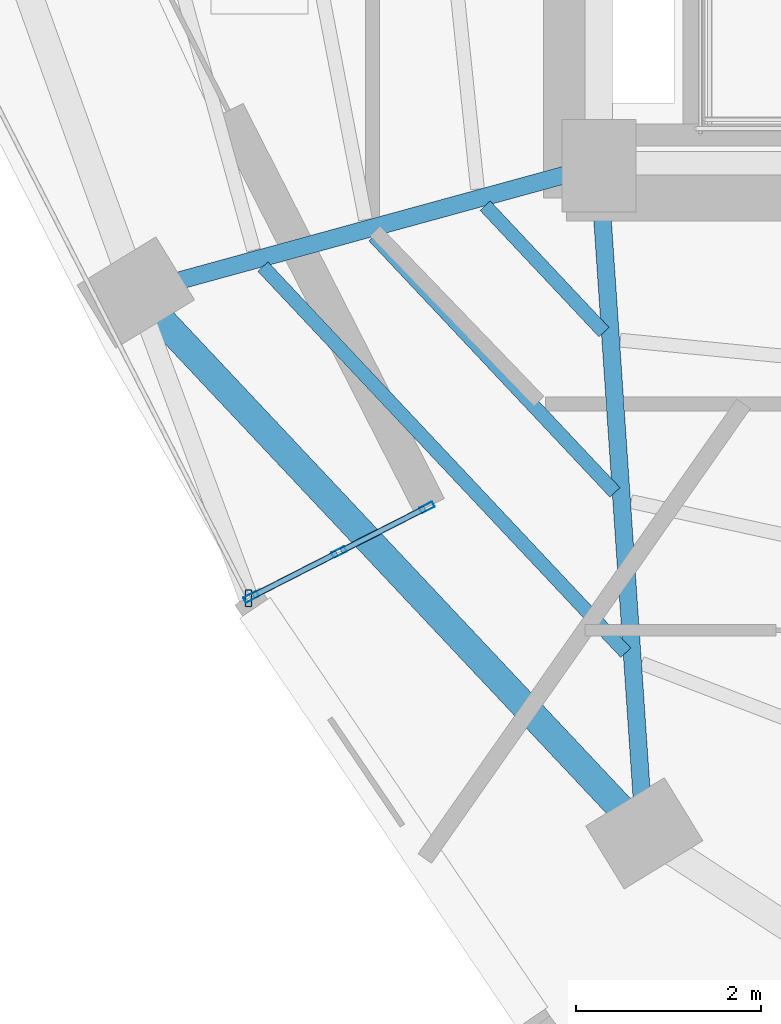
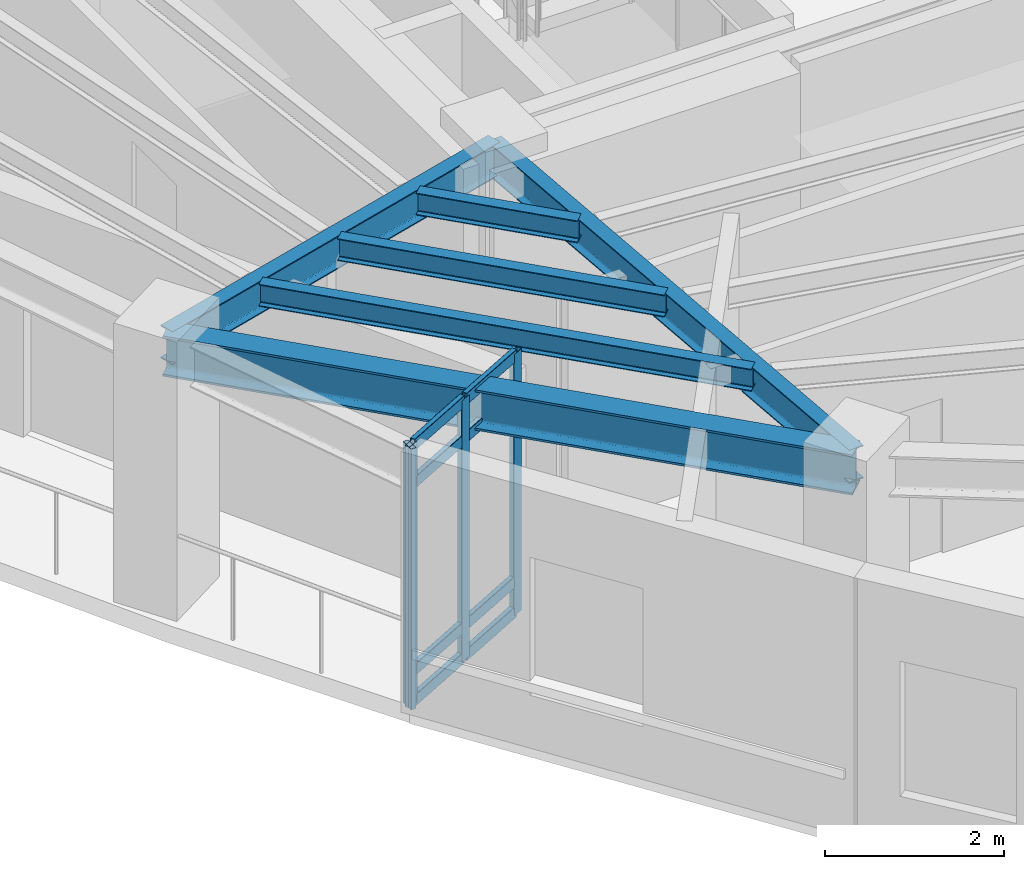
# One storey, part 2 of 12: 12 members, 6 beams, 1 element without a shape of its own.
"""IFC4 building model written with IfcOpenShell, lengths in metres."""

import ifcopenshell
import ifcopenshell.guid

model = None  # the IFC model being written
_history = None  # IfcOwnerHistory: only IFC2X3 demands one
_inside = {}  # id of a spatial element -> (the spatial element, [elements in it])
_under = {}  # id of a project, library or spatial element -> (it, [spatial elements below it])
_declared = {}  # id of a project -> (the project, [libraries it declares])
_typed = {}  # id of a type object -> (the type object, [elements of that type])
_made_of = {}  # id of a material, layer set ... -> (it, [elements and type objects made of it])


def new_model(schema):
    """Start an empty IFC model of exactly this schema.

    Asked for "IFC4X3", IfcOpenShell would pick the latest addendum, in which some entities
    have other attributes; the version numbers below select the first issue.
    IFC2X3 requires an IfcOwnerHistory on every rooted entity: one is made here for all.
    """
    global model, _history
    if schema == "IFC4X3":
        model = ifcopenshell.file(schema_version=(4, 3, 0, 0))
    else:
        model = ifcopenshell.file(schema=schema)
    _inside.clear()
    _under.clear()
    _declared.clear()
    _typed.clear()
    _made_of.clear()
    _history = None
    if model.schema == "IFC2X3":
        org = make("IfcOrganization", Name="unknown")
        user = make(
            "IfcPersonAndOrganization",
            ThePerson=make("IfcPerson", FamilyName="unknown"),
            TheOrganization=org,
        )
        app = make(
            "IfcApplication",
            ApplicationDeveloper=org,
            Version="unknown",
            ApplicationFullName="unknown",
            ApplicationIdentifier="unknown",
        )
        _history = make(
            "IfcOwnerHistory",
            OwningUser=user,
            OwningApplication=app,
            ChangeAction="ADDED",
            CreationDate=0,
        )
    return model


def make(cls, **values):
    """One entity of the class cls with the attributes given. An attribute that is None is left unset."""
    return model.create_entity(
        cls, **{name: value for name, value in values.items() if value is not None}
    )


def rooted(cls, **values):
    """An entity with a GlobalId (a new one), such as an element, a storey or a relation."""
    return make(cls, GlobalId=ifcopenshell.guid.new(), OwnerHistory=_history, **values)


def si_unit(unit_type, name, prefix=None):
    """IfcSIUnit, for example si_unit("LENGTHUNIT", "METRE", prefix="MILLI")."""
    return make("IfcSIUnit", UnitType=unit_type, Prefix=prefix, Name=name)


def assignment(units):
    """IfcUnitAssignment: the units of a project."""
    return None if units is None else make("IfcUnitAssignment", Units=units)


def point(xyz):
    """IfcCartesianPoint."""
    return None if xyz is None else make("IfcCartesianPoint", Coordinates=xyz)


def direction(xyz):
    """IfcDirection."""
    return None if xyz is None else make("IfcDirection", DirectionRatios=xyz)


def frame(location, z_axis=None, x_axis=None):
    """IfcAxis2Placement3D, a coordinate frame: its origin and axes. An axis left out is left unset."""
    return make(
        "IfcAxis2Placement3D",
        Location=point(location),
        Axis=direction(z_axis),
        RefDirection=direction(x_axis),
    )


def frame_2d(location, x_axis=None):
    """IfcAxis2Placement2D, a coordinate frame in the plane: its origin and x axis."""
    return make(
        "IfcAxis2Placement2D", Location=point(location), RefDirection=direction(x_axis)
    )


def origin():
    """The frame at (0, 0, 0) with its axes left unset."""
    return frame((0.0, 0.0, 0.0))


def origin_2d():
    """The frame at (0, 0) in the plane with its x axis left unset."""
    return frame_2d((0.0, 0.0))


def place(relative_to, where):
    """IfcLocalPlacement: puts the frame where relative to a parent placement (None: the world)."""
    return make(
        "IfcLocalPlacement", PlacementRelTo=relative_to, RelativePlacement=where
    )


def context(
    kind, dimensions, precision=None, world=None, true_north=None, identifier=None
):
    """IfcGeometricRepresentationContext, for example the 3D "Model" context."""
    return make(
        "IfcGeometricRepresentationContext",
        ContextIdentifier=identifier,
        ContextType=kind,
        CoordinateSpaceDimension=dimensions,
        Precision=precision,
        WorldCoordinateSystem=world,
        TrueNorth=true_north,
    )


def subcontext(parent, identifier, kind, view, scale=None):
    """IfcGeometricRepresentationSubContext, for example "Body" below "Model"."""
    return make(
        "IfcGeometricRepresentationSubContext",
        ContextIdentifier=identifier,
        ContextType=kind,
        ParentContext=parent,
        TargetScale=scale,
        TargetView=view,
    )


def project(units=None, contexts=None):
    """IfcProject with its units and contexts."""
    return rooted(
        "IfcProject",
        Name="project",
        RepresentationContexts=contexts,
        UnitsInContext=assignment(units),
    )


def spatial(cls, under=None, at=None, **own):
    """A site, building, storey or space (cls), placed at a placement, below another one or the project."""
    s = rooted(cls, ObjectPlacement=at, **own)
    if under is not None:
        _under.setdefault(under.id(), (under, []))[1].append(s)
    return s


def profile(cls, at=None, kind="AREA", **sizes):
    """A parametric profile (cls). Its sizes go by their IFC names, for example OverallWidth=200.0."""
    return make(cls, ProfileType=kind, Position=at, **sizes)


def hollow_rectangle(**sizes):
    """IfcRectangleHollowProfileDef."""
    return profile("IfcRectangleHollowProfileDef", **sizes)


def i_section(**sizes):
    """IfcIShapeProfileDef."""
    return profile("IfcIShapeProfileDef", **sizes)


def extrude(swept, where, along, depth):
    """IfcExtrudedAreaSolid: the profile swept, set in the frame where, extruded along a direction by depth."""
    return make(
        "IfcExtrudedAreaSolid",
        SweptArea=swept,
        Position=where,
        ExtrudedDirection=direction(along),
        Depth=depth,
    )


def shape(context_of_items, identifier, shape_type, items):
    """IfcShapeRepresentation: the items that make up one representation, for example the "Body"."""
    return make(
        "IfcShapeRepresentation",
        ContextOfItems=context_of_items,
        RepresentationIdentifier=identifier,
        RepresentationType=shape_type,
        Items=items,
    )


def material(Name=None, Category=None):
    """IfcMaterial."""
    return make("IfcMaterial", Name=Name, Category=Category)


def layer(
    of_material, thickness, ventilated=None, Name=None, Category=None, Priority=None
):
    """IfcMaterialLayer: one layer of a wall or slab, of a material (None: an air gap)."""
    return make(
        "IfcMaterialLayer",
        Material=of_material,
        LayerThickness=thickness,
        IsVentilated=ventilated,
        Name=Name,
        Category=Category,
        Priority=Priority,
    )


def layer_set(layers, Name=None):
    """IfcMaterialLayerSet."""
    return make("IfcMaterialLayerSet", MaterialLayers=layers, LayerSetName=Name)


def material_profile(
    of_material, cross_section, Name=None, Category=None, Priority=None
):
    """IfcMaterialProfile: a cross section and its material."""
    return make(
        "IfcMaterialProfile",
        Name=Name,
        Material=of_material,
        Profile=cross_section,
        Priority=Priority,
        Category=Category,
    )


def profile_set(profiles, Name=None, composite=None):
    """IfcMaterialProfileSet."""
    return make(
        "IfcMaterialProfileSet",
        Name=Name,
        MaterialProfiles=profiles,
        CompositeProfile=composite,
    )


def made_of(thing, what):
    """Note that an element or type object is made of a material, layer set ...; save() writes the relation."""
    if what is not None:
        _made_of.setdefault(what.id(), (what, []))[1].append(thing)
    return thing


def type_object(cls, material=None, **own):
    """A type object (cls), such as IfcWallType, which elements share."""
    return made_of(rooted(cls, **own), material)


def element(
    cls,
    number,
    at=None,
    inside=None,
    cuts=None,
    type_object=None,
    material=None,
    context=None,
    identifier="Body",
    shape_type=None,
    held_by="IfcProductDefinitionShape",
    body=None,
    shapes=None,
    **own,
):
    """One element of the class cls, such as IfcWall. Its Tag is "e" and its number.

    at: its placement. inside: the storey or other place that contains it. cuts: it is an
    opening in that element (IfcRelVoidsElement). A single representation is given by context,
    identifier, shape_type and body (its items); several are given by shapes. held_by: the class
    of the entity that holds the representations. save() writes the other relations.
    """
    e = rooted(cls, Tag="e%d" % number, ObjectPlacement=at, **own)
    if body is not None:
        shapes = [shape(context, identifier, shape_type, body)]
    if shapes is not None:
        e.Representation = make(held_by, Representations=shapes)
    if inside is not None:
        _inside.setdefault(inside.id(), (inside, []))[1].append(e)
    if cuts is not None:
        rooted(
            "IfcRelVoidsElement", RelatingBuildingElement=cuts, RelatedOpeningElement=e
        )
    if type_object is not None:
        _typed.setdefault(type_object.id(), (type_object, []))[1].append(e)
    return made_of(e, material)


def aggregate(whole, parts):
    """IfcRelAggregates: a whole, such as a stair, and the parts it consists of."""
    return rooted("IfcRelAggregates", RelatingObject=whole, RelatedObjects=parts)


def save(model, path):
    """Write the relations noted so far, then the file.

    IfcRelAggregates (storeys below a building ...), IfcRelContainedInSpatialStructure (elements
    in a storey), IfcRelDefinesByType, IfcRelAssociatesMaterial and IfcRelDeclares: one each for
    every whole, place, type object, material and project.
    """
    for whole, parts in _under.values():
        aggregate(whole, parts)
    for where, things in _inside.values():
        rooted(
            "IfcRelContainedInSpatialStructure",
            RelatedElements=things,
            RelatingStructure=where,
        )
    for kind, things in _typed.values():
        rooted("IfcRelDefinesByType", RelatedObjects=things, RelatingType=kind)
    for what, things in _made_of.values():
        rooted("IfcRelAssociatesMaterial", RelatedObjects=things, RelatingMaterial=what)
    for by, libraries in _declared.values():
        rooted("IfcRelDeclares", RelatingContext=by, RelatedDefinitions=libraries)
    model.write(path)


model = new_model("IFC4")

# Units and contexts
model_context = context("Model", 3, precision=1e-05, world=origin(), true_north=direction((0.0, 1.0)))
body_context = subcontext(model_context, "Body", "Model", "MODEL_VIEW")
ifc_project = project(units=[si_unit("LENGTHUNIT", "METRE"), si_unit("AREAUNIT", "SQUARE_METRE"), si_unit("VOLUMEUNIT", "CUBIC_METRE"), si_unit("PLANEANGLEUNIT", "RADIAN"), si_unit("MASSUNIT", "GRAM", prefix="KILO")], contexts=[model_context])

# Site, building, storey
site_placement = place(None, origin())
site = spatial("IfcSite", under=ifc_project, at=site_placement, CompositionType="ELEMENT")
building_placement = place(site_placement, origin())
building = spatial("IfcBuilding", under=site, at=building_placement, Name="Ndelora Gate Hotel", CompositionType="ELEMENT")
storey_placement = place(building_placement, frame((0.0, 0.0, 201.75)))
storey = spatial("IfcBuildingStorey", under=building, at=storey_placement, Name="L50", CompositionType="ELEMENT", Elevation=201.75)

# Beams
ifc_material_1 = material(Name="Steel S355", Category="steel")
ifc_material_profile_1 = material_profile(ifc_material_1, i_section(OverallWidth=0.14990234375, OverallDepth=0.300048828125, WebThickness=0.007080078125, FlangeThickness=0.0107421875, FilletRadius=0.014892578125, at=origin_2d()), Name="IPE 300")
ifc_profile_set_1 = profile_set([ifc_material_profile_1], Name="Steel S355")
beam_type_1 = type_object("IfcBeamType", Name="BM-JST-300", PredefinedType="JOIST", material=ifc_profile_set_1)
beam_1_placement = place(storey_placement, frame((-9.231201171875, -7.03369140625, 3.39990234375), z_axis=(0.684943115963, -0.728596546722, 0.0), x_axis=(0.728596546722, 0.684943115963, 0.0)))
element("IfcBeam", 1, at=beam_1_placement, inside=storey, type_object=beam_type_1, Name="L50 Secondary Composite Floor Joist IN-3", PredefinedType="JOIST", context=body_context, shape_type="SweptSolid", body=[
    extrude(i_section(OverallWidth=0.14990234375, OverallDepth=0.300048828125, WebThickness=0.007080078125, FlangeThickness=0.0107421875, FilletRadius=0.014892578125, at=origin_2d()), origin(), (0.0, 0.0, 1.0), 1.879150390625),
])
beam_2_placement = place(storey_placement, frame((-10.43408203125, -7.36328125, 3.39990234375), z_axis=(0.684938600536, -0.728600791584, 0.0), x_axis=(0.728600791584, 0.684938600536, 0.0)))
element("IfcBeam", 2, at=beam_2_placement, inside=storey, type_object=beam_type_1, Name="L50 Secondary Composite Floor Joist MID-3", PredefinedType="JOIST", context=body_context, shape_type="SweptSolid", body=[
    extrude(i_section(OverallWidth=0.14990234375, OverallDepth=0.300048828125, WebThickness=0.007080078125, FlangeThickness=0.0107421875, FilletRadius=0.014892578125, at=origin_2d()), origin(), (0.0, 0.0, 1.0), 3.807861328125),
])
beam_3_placement = place(storey_placement, frame((-11.636962890625, -7.693115234375, 3.39990234375), z_axis=(0.68493576734, -0.728603454986, 0.0), x_axis=(0.728603454986, 0.68493576734, 0.0)))
element("IfcBeam", 3, at=beam_3_placement, inside=storey, type_object=beam_type_1, Name="L50 Secondary Composite Floor Joist OUT-3", PredefinedType="JOIST", context=body_context, shape_type="SweptSolid", body=[
    extrude(i_section(OverallWidth=0.14990234375, OverallDepth=0.300048828125, WebThickness=0.007080078125, FlangeThickness=0.0107421875, FilletRadius=0.014892578125, at=origin_2d()), origin(), (0.0, 0.0, 1.0), 5.736328125),
])
ifc_material_profile_2 = material_profile(ifc_material_1, i_section(OverallWidth=0.18994140625, OverallDepth=0.449951171875, WebThickness=0.009521484375, FlangeThickness=0.0146484375, FilletRadius=0.02099609375, at=origin_2d()), Name="IPE 450")
ifc_profile_set_2 = profile_set([ifc_material_profile_2], Name="Steel S355")
beam_type_2 = type_object("IfcBeamType", Name="BM-RAD-450", PredefinedType="BEAM", material=ifc_profile_set_2)
beam_4_placement = place(storey_placement, frame((-8.0, -6.60009765625, 3.324951171875), z_axis=(-0.96442695542, -0.264349480157, 0.0), x_axis=(0.264349480157, -0.96442695542, 0.0)))
element("IfcBeam", 4, at=beam_4_placement, inside=storey, type_object=beam_type_2, Name="L50 Radial Floor Girder 3", PredefinedType="BEAM", context=body_context, shape_type="SweptSolid", body=[
    extrude(i_section(OverallWidth=0.18994140625, OverallDepth=0.449951171875, WebThickness=0.009521484375, FlangeThickness=0.0146484375, FilletRadius=0.02099609375, at=origin_2d()), origin(), (0.0, 0.0, 1.0), 5.19677734375),
])
beam_5_placement = place(storey_placement, frame((-8.0, -6.60009765625, 3.324951171875), z_axis=(0.067867612113, -0.997694335569, 0.0), x_axis=(0.997694335569, 0.067867612113, 0.0)))
element("IfcBeam", 5, at=beam_5_placement, inside=storey, type_object=beam_type_2, Name="L50 Radial Floor Girder 4", PredefinedType="BEAM", context=body_context, shape_type="SweptSolid", body=[
    extrude(i_section(OverallWidth=0.18994140625, OverallDepth=0.449951171875, WebThickness=0.009521484375, FlangeThickness=0.0146484375, FilletRadius=0.02099609375, at=origin_2d()), origin(), (0.0, 0.0, 1.0), 7.244873046875),
])
ifc_material_profile_3 = material_profile(ifc_material_1, i_section(OverallWidth=0.300048828125, OverallDepth=0.550048828125, WebThickness=0.014892578125, FlangeThickness=0.029052734375, FilletRadius=0.027099609375, at=origin_2d()), Name="HEB 550")
ifc_profile_set_3 = profile_set([ifc_material_profile_3], Name="Steel S355")
beam_type_3 = type_object("IfcBeamType", Name="BM-RING-550", PredefinedType="SPANDREL", material=ifc_profile_set_3)
beam_6_placement = place(storey_placement, frame((-13.011962890625, -7.973876953125, 3.27490234375), z_axis=(0.684939043371, -0.728600375285, 0.0), x_axis=(0.728600375285, 0.684939043371, 0.0)))
element("IfcBeam", 6, at=beam_6_placement, inside=storey, type_object=beam_type_3, Name="L50 Perimeter Spandrel Girder 3", PredefinedType="SPANDREL", context=body_context, shape_type="SweptSolid", body=[
    extrude(i_section(OverallWidth=0.300048828125, OverallDepth=0.550048828125, WebThickness=0.014892578125, FlangeThickness=0.029052734375, FilletRadius=0.027099609375, at=origin_2d()), origin(), (0.0, 0.0, 1.0), 8.03515625),
])

# Curtain wall, members
ifc_material_2 = material(Name="Bronze Anodised Unitised Aluminium and Low-E Glass", Category="aluminium")
ifc_layer = layer(ifc_material_2, 0.199951171875)
ifc_layer_set = layer_set([ifc_layer], Name="Bronze Anodised Unitised Aluminium and Low-E Glass")
curtain_wall_type = type_object("IfcCurtainWallType", Name="CW-SYS-3", PredefinedType="NOTDEFINED", material=ifc_layer_set)
curtain_wall_placement = place(storey_placement, origin())
curtain_wall = element("IfcCurtainWall", 7, at=curtain_wall_placement, inside=storey, type_object=curtain_wall_type, Name="L50 Sky-Garden Loggia Side Curtain Wall CW3-2", PredefinedType="NOTDEFINED")
ifc_material_3 = material(Name="Bronze Anodised Aluminium 6063-T6", Category="aluminium")
ifc_material_profile_4 = material_profile(ifc_material_3, hollow_rectangle(XDim=0.06494140625, YDim=0.159912109375, WallThickness=0.00390625, InnerFilletRadius=0.00390625, OuterFilletRadius=0.008056640625, at=origin_2d()), Name="ALU 160x65x4")
ifc_profile_set_4 = profile_set([ifc_material_profile_4], Name="Bronze Anodised Aluminium 6063-T6")
member_type_1 = type_object("IfcMemberType", Name="MB-CW-MUL150", PredefinedType="MULLION", material=ifc_profile_set_4)
member_1_placement = place(storey_placement, frame((-11.763671875, -11.268798828125, -0.00390625), z_axis=(0.0, 0.0, 1.0), x_axis=(-0.454000680995, 0.891001336507, 0.0)))
member_1 = element("IfcMember", 8, at=member_1_placement, type_object=member_type_1, Name="CW3 mullion 1", PredefinedType="MULLION", context=body_context, shape_type="SweptSolid", body=[
    extrude(hollow_rectangle(XDim=0.06494140625, YDim=0.159912109375, WallThickness=0.00390625, InnerFilletRadius=0.00390625, OuterFilletRadius=0.008056640625, at=origin_2d()), origin(), (0.0, 0.0, 1.0), 3.557861328125),
])
member_2_placement = place(storey_placement, frame((-10.8125, -10.7841796875, -0.00390625), z_axis=(0.0, 0.0, 1.0), x_axis=(-0.454000680995, 0.891001336507, 0.0)))
member_2 = element("IfcMember", 9, at=member_2_placement, type_object=member_type_1, Name="CW3 mullion 2", PredefinedType="MULLION", context=body_context, shape_type="SweptSolid", body=[
    extrude(hollow_rectangle(XDim=0.06494140625, YDim=0.159912109375, WallThickness=0.00390625, InnerFilletRadius=0.00390625, OuterFilletRadius=0.008056640625, at=origin_2d()), origin(), (0.0, 0.0, 1.0), 3.557861328125),
])
member_3_placement = place(storey_placement, frame((-9.861328125, -10.299560546875, -0.00390625), z_axis=(0.0, 0.0, 1.0), x_axis=(-0.454000680995, 0.891001336507, 0.0)))
member_3 = element("IfcMember", 10, at=member_3_placement, type_object=member_type_1, Name="CW3 mullion 3", PredefinedType="MULLION", context=body_context, shape_type="SweptSolid", body=[
    extrude(hollow_rectangle(XDim=0.06494140625, YDim=0.159912109375, WallThickness=0.00390625, InnerFilletRadius=0.00390625, OuterFilletRadius=0.008056640625, at=origin_2d()), origin(), (0.0, 0.0, 1.0), 3.557861328125),
])
ifc_material_profile_5 = material_profile(ifc_material_3, hollow_rectangle(XDim=0.070068359375, YDim=0.179931640625, WallThickness=0.0048828125, InnerFilletRadius=0.0048828125, OuterFilletRadius=0.010009765625, at=origin_2d()), Name="ALU 180x70x5")
ifc_profile_set_5 = profile_set([ifc_material_profile_5], Name="Bronze Anodised Aluminium 6063-T6")
member_type_2 = type_object("IfcMemberType", Name="MB-CW-MUL180", PredefinedType="MULLION", material=ifc_profile_set_5)
member_4_placement = place(storey_placement, frame((-11.79248046875, -11.28369140625, 0.0), z_axis=(0.0, 0.0, 1.0), x_axis=(1.0, 0.0, 0.0)))
member_4 = element("IfcMember", 11, at=member_4_placement, type_object=member_type_2, Name="L50 Sky-Garden Loggia Corner Mullion Post 2", PredefinedType="MULLION", context=body_context, shape_type="SweptSolid", body=[
    extrude(hollow_rectangle(XDim=0.070068359375, YDim=0.179931640625, WallThickness=0.0048828125, InnerFilletRadius=0.0048828125, OuterFilletRadius=0.010009765625, at=origin_2d()), origin(), (0.0, 0.0, 1.0), 3.550048828125),
])
ifc_material_profile_6 = material_profile(ifc_material_3, hollow_rectangle(XDim=0.06494140625, YDim=0.159912109375, WallThickness=0.00390625, InnerFilletRadius=0.00390625, OuterFilletRadius=0.008056640625, at=origin_2d()), Name="ALU 160x65x4")
ifc_profile_set_6 = profile_set([ifc_material_profile_6], Name="Bronze Anodised Aluminium 6063-T6")
member_type_3 = type_object("IfcMemberType", Name="MB-CW-TRN150", PredefinedType="USERDEFINED", material=ifc_profile_set_6)
member_5_placement = place(storey_placement, frame((-11.739990234375, -11.2568359375, 0.032470703125), z_axis=(0.890934786756, 0.454131264886, 0.0), x_axis=(-0.454131264886, 0.890934786756, 0.0)))
member_5 = element("IfcMember", 12, at=member_5_placement, type_object=member_type_3, Name="CW3 transom 1.1", ObjectType="TRANSOM", PredefinedType="USERDEFINED", context=body_context, shape_type="SweptSolid", body=[
    extrude(hollow_rectangle(XDim=0.06494140625, YDim=0.159912109375, WallThickness=0.00390625, InnerFilletRadius=0.00390625, OuterFilletRadius=0.008056640625, at=origin_2d()), origin(), (0.0, 0.0, 1.0), 1.014404296875),
])
member_6_placement = place(storey_placement, frame((-11.739990234375, -11.2568359375, 0.449951171875), z_axis=(0.890934786756, 0.454131264886, 0.0), x_axis=(-0.454131264886, 0.890934786756, 0.0)))
member_6 = element("IfcMember", 13, at=member_6_placement, type_object=member_type_3, Name="CW3 transom 1.2", ObjectType="TRANSOM", PredefinedType="USERDEFINED", context=body_context, shape_type="SweptSolid", body=[
    extrude(hollow_rectangle(XDim=0.06494140625, YDim=0.159912109375, WallThickness=0.00390625, InnerFilletRadius=0.00390625, OuterFilletRadius=0.008056640625, at=origin_2d()), origin(), (0.0, 0.0, 1.0), 1.014404296875),
])
member_7_placement = place(storey_placement, frame((-11.739990234375, -11.2568359375, 3.0), z_axis=(0.890934786756, 0.454131264886, 0.0), x_axis=(-0.454131264886, 0.890934786756, 0.0)))
member_7 = element("IfcMember", 14, at=member_7_placement, type_object=member_type_3, Name="CW3 transom 1.3", ObjectType="TRANSOM", PredefinedType="USERDEFINED", context=body_context, shape_type="SweptSolid", body=[
    extrude(hollow_rectangle(XDim=0.06494140625, YDim=0.159912109375, WallThickness=0.00390625, InnerFilletRadius=0.00390625, OuterFilletRadius=0.008056640625, at=origin_2d()), origin(), (0.0, 0.0, 1.0), 1.014404296875),
])
member_8_placement = place(storey_placement, frame((-11.739990234375, -11.2568359375, 3.517578125), z_axis=(0.890934786756, 0.454131264886, 0.0), x_axis=(-0.454131264886, 0.890934786756, 0.0)))
member_8 = element("IfcMember", 15, at=member_8_placement, type_object=member_type_3, Name="CW3 transom 1.4", ObjectType="TRANSOM", PredefinedType="USERDEFINED", context=body_context, shape_type="SweptSolid", body=[
    extrude(hollow_rectangle(XDim=0.06494140625, YDim=0.159912109375, WallThickness=0.00390625, InnerFilletRadius=0.00390625, OuterFilletRadius=0.008056640625, at=origin_2d()), origin(), (0.0, 0.0, 1.0), 1.014404296875),
])
member_9_placement = place(storey_placement, frame((-10.788818359375, -10.772216796875, 0.032470703125), z_axis=(0.890934786756, 0.454131264886, 0.0), x_axis=(-0.454131264886, 0.890934786756, 0.0)))
member_9 = element("IfcMember", 16, at=member_9_placement, type_object=member_type_3, Name="CW3 transom 2.1", ObjectType="TRANSOM", PredefinedType="USERDEFINED", context=body_context, shape_type="SweptSolid", body=[
    extrude(hollow_rectangle(XDim=0.06494140625, YDim=0.159912109375, WallThickness=0.00390625, InnerFilletRadius=0.00390625, OuterFilletRadius=0.008056640625, at=origin_2d()), origin(), (0.0, 0.0, 1.0), 1.014404296875),
])
member_10_placement = place(storey_placement, frame((-10.788818359375, -10.772216796875, 0.449951171875), z_axis=(0.890934786756, 0.454131264886, 0.0), x_axis=(-0.454131264886, 0.890934786756, 0.0)))
member_10 = element("IfcMember", 17, at=member_10_placement, type_object=member_type_3, Name="CW3 transom 2.2", ObjectType="TRANSOM", PredefinedType="USERDEFINED", context=body_context, shape_type="SweptSolid", body=[
    extrude(hollow_rectangle(XDim=0.06494140625, YDim=0.159912109375, WallThickness=0.00390625, InnerFilletRadius=0.00390625, OuterFilletRadius=0.008056640625, at=origin_2d()), origin(), (0.0, 0.0, 1.0), 1.014404296875),
])
member_11_placement = place(storey_placement, frame((-10.788818359375, -10.772216796875, 3.0), z_axis=(0.890934786756, 0.454131264886, 0.0), x_axis=(-0.454131264886, 0.890934786756, 0.0)))
member_11 = element("IfcMember", 18, at=member_11_placement, type_object=member_type_3, Name="CW3 transom 2.3", ObjectType="TRANSOM", PredefinedType="USERDEFINED", context=body_context, shape_type="SweptSolid", body=[
    extrude(hollow_rectangle(XDim=0.06494140625, YDim=0.159912109375, WallThickness=0.00390625, InnerFilletRadius=0.00390625, OuterFilletRadius=0.008056640625, at=origin_2d()), origin(), (0.0, 0.0, 1.0), 1.014404296875),
])
member_12_placement = place(storey_placement, frame((-10.788818359375, -10.772216796875, 3.517578125), z_axis=(0.890934786756, 0.454131264886, 0.0), x_axis=(-0.454131264886, 0.890934786756, 0.0)))
member_12 = element("IfcMember", 19, at=member_12_placement, type_object=member_type_3, Name="CW3 transom 2.4", ObjectType="TRANSOM", PredefinedType="USERDEFINED", context=body_context, shape_type="SweptSolid", body=[
    extrude(hollow_rectangle(XDim=0.06494140625, YDim=0.159912109375, WallThickness=0.00390625, InnerFilletRadius=0.00390625, OuterFilletRadius=0.008056640625, at=origin_2d()), origin(), (0.0, 0.0, 1.0), 1.014404296875),
])
aggregate(curtain_wall, [member_1, member_2, member_3, member_5, member_6, member_7, member_8, member_9, member_10, member_11, member_12, member_4])

save(model, "model.ifc")
